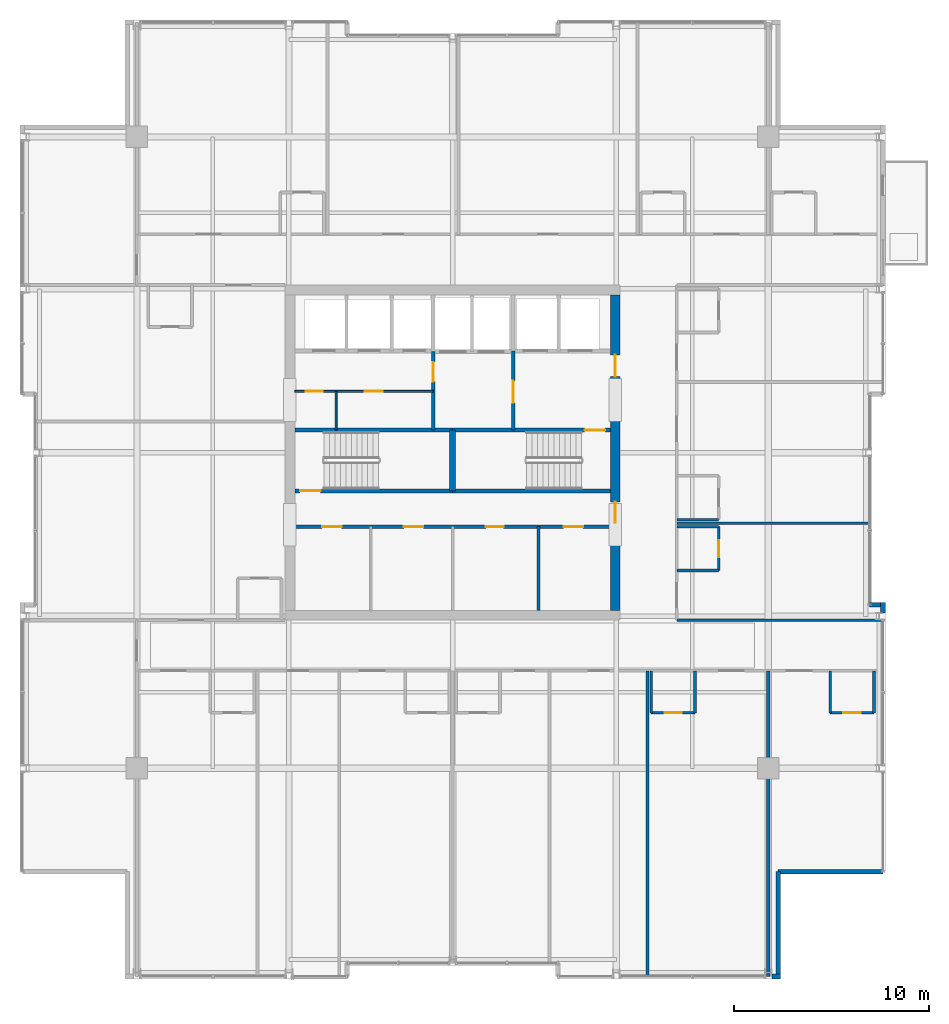
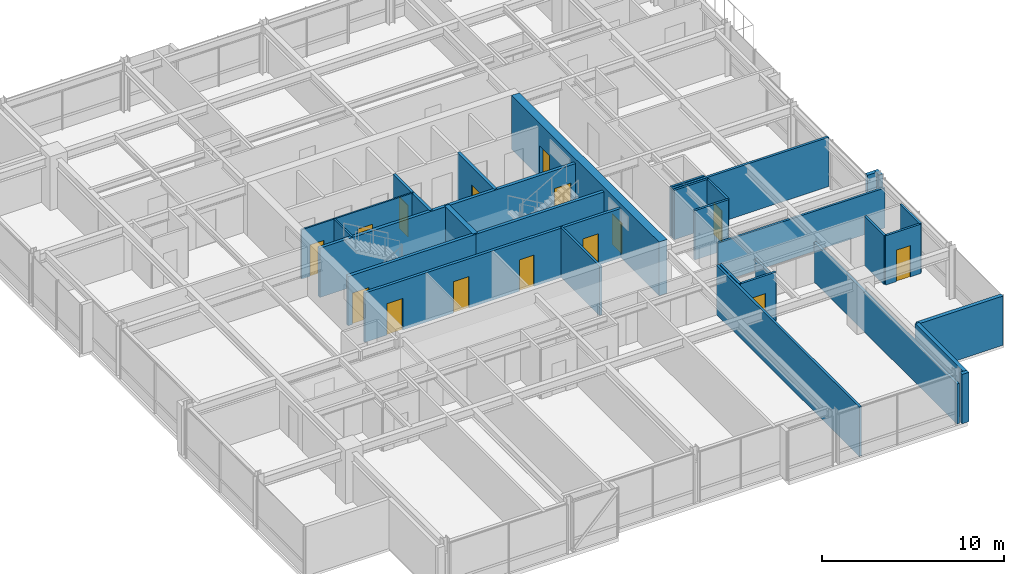
# One storey, part 29 of 34: 31 walls, 15 doors, 15 openings.
"""IFC4 building model written with IfcOpenShell, lengths in metres."""

from ifc_helpers import new_model, si_unit, direction, frame, frame_2d, origin, place, context, subcontext, project, spatial, rectangle, extrude, material, layer, layer_set, type_object, element, fill, save


model = new_model("IFC4")

# Units and contexts
model_context = context("Model", 3, precision=1e-05, world=origin(), true_north=direction((0.0, 1.0)))
body_context = subcontext(model_context, "Body", "Model", "MODEL_VIEW")
ifc_project = project(units=[si_unit("LENGTHUNIT", "METRE"), si_unit("AREAUNIT", "SQUARE_METRE"), si_unit("VOLUMEUNIT", "CUBIC_METRE"), si_unit("PLANEANGLEUNIT", "RADIAN"), si_unit("MASSUNIT", "GRAM", prefix="KILO")], contexts=[model_context])

# Site, building, storey
site_placement = place(None, origin())
site = spatial("IfcSite", under=ifc_project, at=site_placement, CompositionType="ELEMENT")
building_placement = place(site_placement, origin())
building = spatial("IfcBuilding", under=site, at=building_placement, Name="Drelvath Grand Hotel", CompositionType="ELEMENT")
storey_placement = place(building_placement, frame((0.0, 0.0, 251.89990234375)))
storey = spatial("IfcBuildingStorey", under=building, at=storey_placement, Name="L66", CompositionType="ELEMENT", Elevation=251.89990234375)

# Wall, openings, doors
ifc_material_1 = material(Name="Gypsum Partition Board")
ifc_layer_1 = layer(ifc_material_1, 0.10009765625)
ifc_layer_set_1 = layer_set([ifc_layer_1], Name="Gypsum Partition Board")
wall_type_1 = type_object("IfcWallType", Name="Core Closet Partition 100", PredefinedType="PARTITIONING", material=ifc_layer_set_1)
wall_1_placement = place(storey_placement, frame((-8.10009765625, 30.139892578125, 0.0), z_axis=(0.0, 0.0, 1.0), x_axis=(1.0, 0.0, 0.0)))
wall_1 = element("IfcWall", 1, at=wall_1_placement, inside=storey, type_object=wall_type_1, Name="L66 High-Rise Lobby Closet Wall", PredefinedType="PARTITIONING", context=body_context, shape_type="SweptSolid", body=[
    extrude(rectangle(XDim=7.10009765625, YDim=0.10009765625, at=frame_2d((3.550048828125, 0.0))), origin(), (0.0, 0.0, 1.0), 3.300048828125),
])
opening_1_placement = place(wall_1_placement, frame((0.550048828125, 0.0, 0.0)))
opening_1 = element("IfcOpeningElement", 2, at=opening_1_placement, cuts=wall_1, Name="Opening D-T4G5-013", PredefinedType="OPENING", context=body_context, shape_type="SweptSolid", body=[
    extrude(rectangle(XDim=0.8798828125, YDim=2.10009765625, at=frame_2d((0.43994140625, 1.050048828125))), frame((0.0, 0.06005859375, 0.0), z_axis=(0.0, -1.0, 0.0), x_axis=(1.0, 0.0, 0.0)), (0.0, 0.0, 1.0), 0.1201171875),
])
opening_2_placement = place(wall_1_placement, frame((3.60009765625, 0.0, 0.0)))
opening_2 = element("IfcOpeningElement", 3, at=opening_2_placement, cuts=wall_1, Name="Opening D-T4G5-014", PredefinedType="OPENING", context=body_context, shape_type="SweptSolid", body=[
    extrude(rectangle(XDim=0.919921875, YDim=2.10009765625, at=frame_2d((0.4599609375, 1.050048828125))), frame((0.0, 0.06005859375, 0.0), z_axis=(0.0, -1.0, 0.0), x_axis=(1.0, 0.0, 0.0)), (0.0, 0.0, 1.0), 0.1201171875),
])
ifc_material_2 = material(Name="Hardwood Walnut Timber", Category="wood")
door_type_1 = type_object("IfcDoorType", Name="En-Suite Bathroom Door 880x2100", OperationType="NOTDEFINED", PredefinedType="DOOR", material=ifc_material_2)
door_1_placement = place(opening_1_placement, origin())
door_1 = element("IfcDoor", 4, at=door_1_placement, inside=storey, type_object=door_type_1, Name="L66 Low-Voltage Closet Door", OperationType="SINGLE_SWING_RIGHT", OverallHeight=2.10009765625, OverallWidth=0.8798828125, PredefinedType="DOOR", context=body_context, shape_type="SweptSolid", body=[
    extrude(rectangle(XDim=0.8798828125, YDim=2.10009765625, at=frame_2d((0.43994140625, 1.050048828125))), frame((0.0, 0.02490234375, 0.0), z_axis=(0.0, -1.0, 0.0), x_axis=(1.0, 0.0, 0.0)), (0.0, 0.0, 1.0), 0.050048828125),
])
fill(opening_1, door_1)
ifc_material_3 = material(Name="Painted Steel S275", Category="steel")
door_type_2 = type_object("IfcDoorType", Name="Staff Utility Door 920x2100", OperationType="NOTDEFINED", PredefinedType="DOOR", material=ifc_material_3)
door_2_placement = place(opening_2_placement, origin())
door_2 = element("IfcDoor", 5, at=door_2_placement, inside=storey, type_object=door_type_2, Name="L66 Telecom Distribution Door", OperationType="SINGLE_SWING_LEFT", OverallHeight=2.10009765625, OverallWidth=0.919921875, PredefinedType="DOOR", context=body_context, shape_type="SweptSolid", body=[
    extrude(rectangle(XDim=0.919921875, YDim=2.10009765625, at=frame_2d((0.4599609375, 1.050048828125))), frame((0.0, 0.02490234375, 0.0), z_axis=(0.0, -1.0, 0.0), x_axis=(1.0, 0.0, 0.0)), (0.0, 0.0, 1.0), 0.050048828125),
])
fill(opening_2, door_2)

# Wall
wall_2_placement = place(storey_placement, frame((-5.97998046875, 28.159912109375, 0.0), z_axis=(0.0, 0.0, 1.0), x_axis=(0.0, 1.0, 0.0)))
element("IfcWall", 6, at=wall_2_placement, inside=storey, type_object=wall_type_1, Name="L66 Core Closet Split 2", PredefinedType="PARTITIONING", context=body_context, shape_type="SweptSolid", body=[
    extrude(rectangle(XDim=1.97998046875, YDim=0.10009765625, at=frame_2d((0.989990234375, 0.0))), origin(), (0.0, 0.0, 1.0), 3.300048828125),
])

# Wall, opening, door
ifc_material_4 = material(Name="Concrete C40/50", Category="concrete")
ifc_layer_2 = layer(ifc_material_4, 0.199951171875)
ifc_layer_set_2 = layer_set([ifc_layer_2], Name="Concrete C40/50")
wall_type_2 = type_object("IfcWallType", Name="Core Shaft Fire Wall 200", PredefinedType="SOLIDWALL", material=ifc_layer_set_2)
wall_3_placement = place(storey_placement, frame((-8.10009765625, 25.0400390625, 0.0), z_axis=(0.0, 0.0, 1.0), x_axis=(1.0, 0.0, 0.0)))
wall_3 = element("IfcWall", 7, at=wall_3_placement, inside=storey, type_object=wall_type_2, Name="L66 Stair ST-1 South Wall", PredefinedType="SOLIDWALL", context=body_context, shape_type="SweptSolid", body=[
    extrude(rectangle(XDim=8.10009765625, YDim=0.199951171875, at=frame_2d((4.050048828125, 0.0))), origin(), (0.0, 0.0, 1.0), 3.300048828125),
])
opening_3_placement = place(wall_3_placement, frame((0.280029296875, 0.0, 0.0)))
opening_3 = element("IfcOpeningElement", 8, at=opening_3_placement, cuts=wall_3, Name="Opening D-T4G5-001", PredefinedType="OPENING", context=body_context, shape_type="SweptSolid", body=[
    extrude(rectangle(XDim=1.050048828125, YDim=2.10009765625, at=frame_2d((0.52490234375, 1.050048828125))), frame((0.0, 0.10986328125, 0.0), z_axis=(0.0, -1.0, 0.0), x_axis=(1.0, 0.0, 0.0)), (0.0, 0.0, 1.0), 0.219970703125),
])
door_type_3 = type_object("IfcDoorType", Name="Tower Stairwell Fire Door 1050x2100", OperationType="NOTDEFINED", PredefinedType="DOOR", material=ifc_material_3)
door_3_placement = place(opening_3_placement, origin())
door_3 = element("IfcDoor", 9, at=door_3_placement, inside=storey, type_object=door_type_3, Name="L66 Exit Stair ST-1 Door", OperationType="SINGLE_SWING_LEFT", OverallHeight=2.10009765625, OverallWidth=1.050048828125, PredefinedType="DOOR", context=body_context, shape_type="SweptSolid", body=[
    extrude(rectangle(XDim=1.050048828125, YDim=2.10009765625, at=frame_2d((0.52490234375, 1.050048828125))), frame((0.0, 0.02490234375, 0.0), z_axis=(0.0, -1.0, 0.0), x_axis=(1.0, 0.0, 0.0)), (0.0, 0.0, 1.0), 0.050048828125),
])
fill(opening_3, door_3)

# Walls
for number, where, z_axis, x_axis, name in (
    (10, (-8.10009765625, 28.159912109375, 0.0), (0.0, 0.0, 1.0), (1.0, 0.0, 0.0), "L66 Stair ST-1 North Wall"),
    (11, (0.0, 25.0400390625, 0.0), (0.0, 0.0, 1.0), (1.0, 0.0, 0.0), "L66 Stair ST-2 South Wall"),
):
    element("IfcWall", number, at=place(storey_placement, frame(where, z_axis=z_axis, x_axis=x_axis)), inside=storey, type_object=wall_type_2, Name=name, PredefinedType="SOLIDWALL", context=body_context, shape_type="SweptSolid", body=[
        extrude(rectangle(XDim=8.10009765625, YDim=0.199951171875, at=frame_2d((4.050048828125, 0.0))), origin(), (0.0, 0.0, 1.0), 3.300048828125),
    ])

# Wall, opening, door
wall_4_placement = place(storey_placement, frame((8.10009765625, 28.159912109375, 0.0), z_axis=(0.0, 0.0, 1.0), x_axis=(-1.0, 0.0, 0.0)))
wall_4 = element("IfcWall", 12, at=wall_4_placement, inside=storey, type_object=wall_type_2, Name="L66 Stair ST-2 North Wall", PredefinedType="SOLIDWALL", context=body_context, shape_type="SweptSolid", body=[
    extrude(rectangle(XDim=8.10009765625, YDim=0.199951171875, at=frame_2d((4.050048828125, 0.0))), origin(), (0.0, 0.0, 1.0), 3.300048828125),
])
opening_4_placement = place(wall_4_placement, frame((0.280029296875, 0.0, 0.0)))
opening_4 = element("IfcOpeningElement", 13, at=opening_4_placement, cuts=wall_4, Name="Opening D-T4G5-002", PredefinedType="OPENING", context=body_context, shape_type="SweptSolid", body=[
    extrude(rectangle(XDim=1.050048828125, YDim=2.10009765625, at=frame_2d((0.52490234375, 1.050048828125))), frame((0.0, 0.10986328125, 0.0), z_axis=(0.0, -1.0, 0.0), x_axis=(1.0, 0.0, 0.0)), (0.0, 0.0, 1.0), 0.219970703125),
])
door_4_placement = place(opening_4_placement, origin())
door_4 = element("IfcDoor", 14, at=door_4_placement, inside=storey, type_object=door_type_3, Name="L66 Exit Stair ST-2 Door", OperationType="SINGLE_SWING_LEFT", OverallHeight=2.10009765625, OverallWidth=1.050048828125, PredefinedType="DOOR", context=body_context, shape_type="SweptSolid", body=[
    extrude(rectangle(XDim=1.050048828125, YDim=2.10009765625, at=frame_2d((0.52490234375, 1.050048828125))), frame((0.0, 0.02490234375, 0.0), z_axis=(0.0, -1.0, 0.0), x_axis=(1.0, 0.0, 0.0)), (0.0, 0.0, 1.0), 0.050048828125),
])
fill(opening_4, door_4)

# Walls
ifc_layer_3 = layer(ifc_material_4, 0.300048828125)
ifc_layer_set_3 = layer_set([ifc_layer_3], Name="Concrete C40/50")
wall_type_3 = type_object("IfcWallType", Name="Core Shaft Fire Wall 300", PredefinedType="SOLIDWALL", material=ifc_layer_set_3)
wall_5_placement = place(storey_placement, frame((0.0, 25.0400390625, 0.0), z_axis=(0.0, 0.0, 1.0), x_axis=(0.0, 1.0, 0.0)))
element("IfcWall", 15, at=wall_5_placement, inside=storey, type_object=wall_type_3, Name="L66 Core Stair Divider Wall", PredefinedType="SOLIDWALL", context=body_context, shape_type="SweptSolid", body=[
    extrude(rectangle(XDim=3.119873046875, YDim=0.300048828125, at=frame_2d((1.56005859375, 0.0))), origin(), (0.0, 0.0, 1.0), 3.300048828125),
])
ifc_material_5 = material(Name="Gypsum Fireboard Partition")
ifc_layer_4 = layer(ifc_material_5, 0.135009765625)
ifc_layer_set_4 = layer_set([ifc_layer_4], Name="Gypsum Fireboard Partition")
wall_type_4 = type_object("IfcWallType", Name="Corridor Fire Barrier Wall 135", PredefinedType="PARTITIONING", material=ifc_layer_set_4)
wall_6_placement = place(storey_placement, frame((11.5, 18.39990234375, 0.0), z_axis=(0.0, 0.0, 1.0), x_axis=(1.0, 0.0, 0.0)))
element("IfcWall", 16, at=wall_6_placement, inside=storey, type_object=wall_type_4, Name="L66 South Gallery Inner East Wall", PredefinedType="PARTITIONING", context=body_context, shape_type="SweptSolid", body=[
    extrude(rectangle(XDim=10.580078125, YDim=0.135009765625, at=frame_2d((5.2900390625, 0.0))), origin(), (0.0, 0.0, 1.0), 2.677490234375),
])
ifc_material_6 = material(Name="Moisture-Resistant Gypsum Board")
ifc_layer_5 = layer(ifc_material_6, 0.139892578125)
ifc_layer_set_5 = layer_set([ifc_layer_5], Name="Moisture-Resistant Gypsum Board")
wall_type_5 = type_object("IfcWallType", Name="En-Suite Plumbing Wall 140", PredefinedType="PLUMBINGWALL", material=ifc_layer_set_5)
wall_7_placement = place(storey_placement, frame((4.39990234375, 18.89990234375, 0.0), z_axis=(0.0, 0.0, 1.0), x_axis=(0.0, 1.0, 0.0)))
element("IfcWall", 17, at=wall_7_placement, inside=storey, type_object=wall_type_5, Name="L66 Upper Core Split 2C", PredefinedType="PLUMBINGWALL", context=body_context, shape_type="SweptSolid", body=[
    extrude(rectangle(XDim=4.300048828125, YDim=0.139892578125, at=frame_2d((2.14990234375, 0.0))), origin(), (0.0, 0.0, 1.0), 3.300048828125),
])
for number, where, z_axis, x_axis, name in (
    (18, (19.3701171875, 15.800048828125, 0.0), (0.0, 0.0, 1.0), (0.0, -1.0, 0.0), "L66 En-Suite Left Wall"),
    (19, (21.6201171875, 15.800048828125, 0.0), (0.0, 0.0, 1.0), (0.0, -1.0, 0.0), "L66 En-Suite Right Wall"),
):
    element("IfcWall", number, at=place(storey_placement, frame(where, z_axis=z_axis, x_axis=x_axis)), inside=storey, type_object=wall_type_5, Name=name, PredefinedType="PLUMBINGWALL", context=body_context, shape_type="SweptSolid", body=[
        extrude(rectangle(XDim=2.150146484375, YDim=0.139892578125, at=frame_2d((1.0751953125, 0.0))), origin(), (0.0, 0.0, 1.0), 3.300048828125),
    ])

# Wall, opening, door
wall_8_placement = place(storey_placement, frame((19.3701171875, 13.64990234375, 0.0), z_axis=(0.0, 0.0, 1.0), x_axis=(1.0, 0.0, 0.0)))
wall_8 = element("IfcWall", 20, at=wall_8_placement, inside=storey, type_object=wall_type_5, Name="L66 En-Suite Front Wall", PredefinedType="PLUMBINGWALL", context=body_context, shape_type="SweptSolid", body=[
    extrude(rectangle(XDim=2.25, YDim=0.139892578125, at=frame_2d((1.125, 0.0))), origin(), (0.0, 0.0, 1.0), 3.300048828125),
])
opening_5_placement = place(wall_8_placement, frame((0.68505859375, 0.0, 0.0)))
opening_5 = element("IfcOpeningElement", 21, at=opening_5_placement, cuts=wall_8, Name="Opening D-T4G5-022", PredefinedType="OPENING", context=body_context, shape_type="SweptSolid", body=[
    extrude(rectangle(XDim=0.8798828125, YDim=2.10009765625, at=frame_2d((0.43994140625, 1.050048828125))), frame((0.0, 0.079833984375, 0.0), z_axis=(0.0, -1.0, 0.0), x_axis=(1.0, 0.0, 0.0)), (0.0, 0.0, 1.0), 0.159912109375),
])
door_5_placement = place(opening_5_placement, origin())
door_5 = element("IfcDoor", 22, at=door_5_placement, inside=storey, type_object=door_type_1, Name="L66 En-Suite Bathroom Door", OperationType="SINGLE_SWING_LEFT", OverallHeight=2.10009765625, OverallWidth=0.8798828125, PredefinedType="DOOR", context=body_context, shape_type="SweptSolid", body=[
    extrude(rectangle(XDim=0.8798828125, YDim=2.10009765625, at=frame_2d((0.43994140625, 1.050048828125))), frame((0.0, 0.02490234375, 0.0), z_axis=(0.0, -1.0, 0.0), x_axis=(1.0, 0.0, 0.0)), (0.0, 0.0, 1.0), 0.050048828125),
])
fill(opening_5, door_5)

# Walls
wall_9_placement = place(storey_placement, frame((10.185791015625, 15.800048828125, 0.0), z_axis=(0.0, 0.0, 1.0), x_axis=(0.0, -1.0, 0.0)))
element("IfcWall", 23, at=wall_9_placement, inside=storey, type_object=wall_type_5, Name="L66 En-Suite Left Wall", PredefinedType="PLUMBINGWALL", context=body_context, shape_type="SweptSolid", body=[
    extrude(rectangle(XDim=2.150146484375, YDim=0.139892578125, at=frame_2d((1.0751953125, 0.0))), origin(), (0.0, 0.0, 1.0), 3.300048828125),
])
wall_10_placement = place(storey_placement, frame((12.435791015625, 15.800048828125, 0.0), z_axis=(0.0, 0.0, 1.0), x_axis=(0.0, -1.0, 0.0)))
element("IfcWall", 24, at=wall_10_placement, inside=storey, type_object=wall_type_5, Name="L66 En-Suite Right Wall", PredefinedType="PLUMBINGWALL", context=body_context, shape_type="SweptSolid", body=[
    extrude(rectangle(XDim=2.150146484375, YDim=0.139892578125, at=frame_2d((1.0751953125, 0.0))), origin(), (0.0, 0.0, 1.0), 2.87841796875),
])

# Wall, opening, door
wall_11_placement = place(storey_placement, frame((10.185791015625, 13.64990234375, 0.0), z_axis=(0.0, 0.0, 1.0), x_axis=(1.0, 0.0, 0.0)))
wall_11 = element("IfcWall", 25, at=wall_11_placement, inside=storey, type_object=wall_type_5, Name="L66 En-Suite Front Wall", PredefinedType="PLUMBINGWALL", context=body_context, shape_type="SweptSolid", body=[
    extrude(rectangle(XDim=2.25, YDim=0.139892578125, at=frame_2d((1.125, 0.0))), origin(), (0.0, 0.0, 1.0), 3.300048828125),
])
opening_6_placement = place(wall_11_placement, frame((0.68505859375, 0.0, 0.0)))
opening_6 = element("IfcOpeningElement", 26, at=opening_6_placement, cuts=wall_11, Name="Opening D-T4G5-034", PredefinedType="OPENING", context=body_context, shape_type="SweptSolid", body=[
    extrude(rectangle(XDim=0.8798828125, YDim=2.10009765625, at=frame_2d((0.43994140625, 1.050048828125))), frame((0.0, 0.079833984375, 0.0), z_axis=(0.0, -1.0, 0.0), x_axis=(1.0, 0.0, 0.0)), (0.0, 0.0, 1.0), 0.159912109375),
])
door_6_placement = place(opening_6_placement, origin())
door_6 = element("IfcDoor", 27, at=door_6_placement, inside=storey, type_object=door_type_1, Name="L66 En-Suite Bathroom Door", OperationType="SINGLE_SWING_LEFT", OverallHeight=2.10009765625, OverallWidth=0.8798828125, PredefinedType="DOOR", context=body_context, shape_type="SweptSolid", body=[
    extrude(rectangle(XDim=0.8798828125, YDim=2.10009765625, at=frame_2d((0.43994140625, 1.050048828125))), frame((0.0, 0.02490234375, 0.0), z_axis=(0.0, -1.0, 0.0), x_axis=(1.0, 0.0, 0.0)), (0.0, 0.0, 1.0), 0.050048828125),
])
fill(opening_6, door_6)

# Walls
for number, where, z_axis, x_axis, name in (
    (28, (11.5, 20.948974609375, 0.0), (0.0, 0.0, 1.0), (1.0, 0.0, 0.0), "L66 En-Suite Left Wall"),
    (29, (11.5, 23.198974609375, 0.0), (0.0, 0.0, 1.0), (1.0, 0.0, 0.0), "L66 En-Suite Right Wall"),
):
    element("IfcWall", number, at=place(storey_placement, frame(where, z_axis=z_axis, x_axis=x_axis)), inside=storey, type_object=wall_type_5, Name=name, PredefinedType="PLUMBINGWALL", context=body_context, shape_type="SweptSolid", body=[
        extrude(rectangle(XDim=2.14990234375, YDim=0.139892578125, at=frame_2d((1.074951171875, 0.0))), origin(), (0.0, 0.0, 1.0), 3.300048828125),
    ])

# Wall, opening, door
wall_12_placement = place(storey_placement, frame((13.64990234375, 20.948974609375, 0.0), z_axis=(0.0, 0.0, 1.0), x_axis=(0.0, 1.0, 0.0)))
wall_12 = element("IfcWall", 30, at=wall_12_placement, inside=storey, type_object=wall_type_5, Name="L66 En-Suite Front Wall", PredefinedType="PLUMBINGWALL", context=body_context, shape_type="SweptSolid", body=[
    extrude(rectangle(XDim=2.25, YDim=0.139892578125, at=frame_2d((1.125, 0.0))), origin(), (0.0, 0.0, 1.0), 3.300048828125),
])
opening_7_placement = place(wall_12_placement, frame((0.68505859375, 0.0, 0.0)))
opening_7 = element("IfcOpeningElement", 31, at=opening_7_placement, cuts=wall_12, Name="Opening D-T4G5-042", PredefinedType="OPENING", context=body_context, shape_type="SweptSolid", body=[
    extrude(rectangle(XDim=0.8798828125, YDim=2.10009765625, at=frame_2d((0.43994140625, 1.050048828125))), frame((0.0, 0.079833984375, 0.0), z_axis=(0.0, -1.0, 0.0), x_axis=(1.0, 0.0, 0.0)), (0.0, 0.0, 1.0), 0.159912109375),
])
door_7_placement = place(opening_7_placement, origin())
door_7 = element("IfcDoor", 32, at=door_7_placement, inside=storey, type_object=door_type_1, Name="L66 En-Suite Bathroom Door", OperationType="SINGLE_SWING_LEFT", OverallHeight=2.10009765625, OverallWidth=0.8798828125, PredefinedType="DOOR", context=body_context, shape_type="SweptSolid", body=[
    extrude(rectangle(XDim=0.8798828125, YDim=2.10009765625, at=frame_2d((0.43994140625, 1.050048828125))), frame((0.0, 0.02490234375, 0.0), z_axis=(0.0, -1.0, 0.0), x_axis=(1.0, 0.0, 0.0)), (0.0, 0.0, 1.0), 0.050048828125),
])
fill(opening_7, door_7)

# Wall
wall_13_placement = place(storey_placement, frame((11.5, 23.558837890625, 0.0), z_axis=(0.0, 0.0, 1.0), x_axis=(1.0, 0.0, 0.0)))
element("IfcWall", 33, at=wall_13_placement, inside=storey, type_object=wall_type_5, Name="L66 En-Suite Left Wall", PredefinedType="PLUMBINGWALL", context=body_context, shape_type="SweptSolid", body=[
    extrude(rectangle(XDim=2.14990234375, YDim=0.139892578125, at=frame_2d((1.074951171875, 0.0))), origin(), (0.0, 0.0, 1.0), 3.300048828125),
])

# Wall, opening, door
ifc_layer_6 = layer(ifc_material_5, 0.179931640625)
ifc_layer_set_6 = layer_set([ifc_layer_6], Name="Gypsum Fireboard Partition")
wall_type_6 = type_object("IfcWallType", Name="FSAE Smoke Lobby Fire Wall 180", PredefinedType="SOLIDWALL", material=ifc_layer_set_6)
wall_14_placement = place(storey_placement, frame((3.10009765625, 28.159912109375, 0.0), z_axis=(0.0, 0.0, 1.0), x_axis=(0.0, 1.0, 0.0)))
wall_14 = element("IfcWall", 34, at=wall_14_placement, inside=storey, type_object=wall_type_6, Name="L66 FSAE Smoke Lobby West Wall", PredefinedType="SOLIDWALL", context=body_context, shape_type="SweptSolid", body=[
    extrude(rectangle(XDim=4.06005859375, YDim=0.179931640625, at=frame_2d((2.030029296875, 0.0))), origin(), (0.0, 0.0, 1.0), 3.300048828125),
])
opening_8_placement = place(wall_14_placement, frame((1.39990234375, 0.0, 0.0)))
opening_8 = element("IfcOpeningElement", 35, at=opening_8_placement, cuts=wall_14, Name="Opening D-T4G5-005", PredefinedType="OPENING", context=body_context, shape_type="SweptSolid", body=[
    extrude(rectangle(XDim=1.1201171875, YDim=2.10009765625, at=frame_2d((0.56005859375, 1.050048828125))), frame((0.0, 0.099853515625, 0.0), z_axis=(0.0, -1.0, 0.0), x_axis=(1.0, 0.0, 0.0)), (0.0, 0.0, 1.0), 0.199951171875),
])
door_type_4 = type_object("IfcDoorType", Name="FSAE Smoke Lobby Fire Door 1120x2100", OperationType="NOTDEFINED", PredefinedType="DOOR", material=ifc_material_3)
door_8_placement = place(opening_8_placement, origin())
door_8 = element("IfcDoor", 36, at=door_8_placement, inside=storey, type_object=door_type_4, Name="L66 FSAE Lobby Service Vestibule Door", OperationType="SINGLE_SWING_RIGHT", OverallHeight=2.10009765625, OverallWidth=1.1201171875, PredefinedType="DOOR", context=body_context, shape_type="SweptSolid", body=[
    extrude(rectangle(XDim=1.1201171875, YDim=2.10009765625, at=frame_2d((0.56005859375, 1.050048828125))), frame((0.0, 0.02490234375, 0.0), z_axis=(0.0, -1.0, 0.0), x_axis=(1.0, 0.0, 0.0)), (0.0, 0.0, 1.0), 0.050048828125),
])
fill(opening_8, door_8)

wall_15_placement = place(storey_placement, frame((-1.0, 28.159912109375, 0.0), z_axis=(0.0, 0.0, 1.0), x_axis=(0.0, 1.0, 0.0)))
wall_15 = element("IfcWall", 37, at=wall_15_placement, inside=storey, type_object=wall_type_6, Name="L66 Service Vestibule West Wall", PredefinedType="SOLIDWALL", context=body_context, shape_type="SweptSolid", body=[
    extrude(rectangle(XDim=4.02001953125, YDim=0.179931640625, at=frame_2d((2.010009765625, 0.0))), origin(), (0.0, 0.0, 1.0), 3.300048828125),
])
opening_9_placement = place(wall_15_placement, frame((2.489990234375, 0.0, 0.0)))
opening_9 = element("IfcOpeningElement", 38, at=opening_9_placement, cuts=wall_15, Name="Opening D-T4G5-009", PredefinedType="OPENING", context=body_context, shape_type="SweptSolid", body=[
    extrude(rectangle(XDim=1.0, YDim=2.10009765625, at=frame_2d((0.5, 1.050048828125))), frame((0.0, 0.099853515625, 0.0), z_axis=(0.0, -1.0, 0.0), x_axis=(1.0, 0.0, 0.0)), (0.0, 0.0, 1.0), 0.199951171875),
])
door_type_5 = type_object("IfcDoorType", Name="Core Service Fire Door 1000x2100", OperationType="NOTDEFINED", PredefinedType="DOOR", material=ifc_material_3)
door_9_placement = place(opening_9_placement, origin())
door_9 = element("IfcDoor", 39, at=door_9_placement, inside=storey, type_object=door_type_5, Name="L66 Service Vestibule West Door", OperationType="SINGLE_SWING_LEFT", OverallHeight=2.10009765625, OverallWidth=1.0, PredefinedType="DOOR", context=body_context, shape_type="SweptSolid", body=[
    extrude(rectangle(XDim=1.0, YDim=2.10009765625, at=frame_2d((0.5, 1.050048828125))), frame((0.0, 0.02490234375, 0.0), z_axis=(0.0, -1.0, 0.0), x_axis=(1.0, 0.0, 0.0)), (0.0, 0.0, 1.0), 0.050048828125),
])
fill(opening_9, door_9)

# Wall, openings, doors
wall_16_placement = place(storey_placement, frame((-8.10009765625, 23.199951171875, 0.0), z_axis=(0.0, 0.0, 1.0), x_axis=(1.0, 0.0, 0.0)))
wall_16 = element("IfcWall", 40, at=wall_16_placement, inside=storey, type_object=wall_type_6, Name="L66 Upper Reclaimed Core Wall", PredefinedType="SOLIDWALL", context=body_context, shape_type="SweptSolid", body=[
    extrude(rectangle(XDim=16.2001953125, YDim=0.179931640625, at=frame_2d((8.10009765625, 0.0))), origin(), (0.0, 0.0, 1.0), 3.300048828125),
])
opening_10_placement = place(wall_16_placement, frame((1.39990234375, 0.0, 0.0)))
opening_10 = element("IfcOpeningElement", 41, at=opening_10_placement, cuts=wall_16, Name="Opening D-T4G5-016", PredefinedType="OPENING", context=body_context, shape_type="SweptSolid", body=[
    extrude(rectangle(XDim=1.0, YDim=2.10009765625, at=frame_2d((0.5, 1.050048828125))), frame((0.0, 0.099853515625, 0.0), z_axis=(0.0, -1.0, 0.0), x_axis=(1.0, 0.0, 0.0)), (0.0, 0.0, 1.0), 0.199951171875),
])
opening_11_placement = place(wall_16_placement, frame((5.60009765625, 0.0, 0.0)))
opening_11 = element("IfcOpeningElement", 42, at=opening_11_placement, cuts=wall_16, Name="Opening D-T4G5-017", PredefinedType="OPENING", context=body_context, shape_type="SweptSolid", body=[
    extrude(rectangle(XDim=1.0, YDim=2.10009765625, at=frame_2d((0.5, 1.050048828125))), frame((0.0, 0.099853515625, 0.0), z_axis=(0.0, -1.0, 0.0), x_axis=(1.0, 0.0, 0.0)), (0.0, 0.0, 1.0), 0.199951171875),
])
opening_12_placement = place(wall_16_placement, frame((9.800048828125, 0.0, 0.0)))
opening_12 = element("IfcOpeningElement", 43, at=opening_12_placement, cuts=wall_16, Name="Opening D-T4G5-018", PredefinedType="OPENING", context=body_context, shape_type="SweptSolid", body=[
    extrude(rectangle(XDim=0.919921875, YDim=2.10009765625, at=frame_2d((0.4599609375, 1.050048828125))), frame((0.0, 0.099853515625, 0.0), z_axis=(0.0, -1.0, 0.0), x_axis=(1.0, 0.0, 0.0)), (0.0, 0.0, 1.0), 0.199951171875),
])
opening_13_placement = place(wall_16_placement, frame((13.800048828125, 0.0, 0.0)))
opening_13 = element("IfcOpeningElement", 44, at=opening_13_placement, cuts=wall_16, Name="Opening D-T4G5-019", PredefinedType="OPENING", context=body_context, shape_type="SweptSolid", body=[
    extrude(rectangle(XDim=1.0, YDim=2.10009765625, at=frame_2d((0.5, 1.050048828125))), frame((0.0, 0.099853515625, 0.0), z_axis=(0.0, -1.0, 0.0), x_axis=(1.0, 0.0, 0.0)), (0.0, 0.0, 1.0), 0.199951171875),
])
door_10_placement = place(opening_10_placement, origin())
door_10 = element("IfcDoor", 45, at=door_10_placement, inside=storey, type_object=door_type_5, Name="L66 Housekeeping Door", OperationType="SINGLE_SWING_LEFT", OverallHeight=2.10009765625, OverallWidth=1.0, PredefinedType="DOOR", context=body_context, shape_type="SweptSolid", body=[
    extrude(rectangle(XDim=1.0, YDim=2.10009765625, at=frame_2d((0.5, 1.050048828125))), frame((0.0, 0.02490234375, 0.0), z_axis=(0.0, -1.0, 0.0), x_axis=(1.0, 0.0, 0.0)), (0.0, 0.0, 1.0), 0.050048828125),
])
fill(opening_10, door_10)
door_11_placement = place(opening_11_placement, origin())
door_11 = element("IfcDoor", 46, at=door_11_placement, inside=storey, type_object=door_type_5, Name="L66 Valet Door", OperationType="SINGLE_SWING_RIGHT", OverallHeight=2.10009765625, OverallWidth=1.0, PredefinedType="DOOR", context=body_context, shape_type="SweptSolid", body=[
    extrude(rectangle(XDim=1.0, YDim=2.10009765625, at=frame_2d((0.5, 1.050048828125))), frame((0.0, 0.02490234375, 0.0), z_axis=(0.0, -1.0, 0.0), x_axis=(1.0, 0.0, 0.0)), (0.0, 0.0, 1.0), 0.050048828125),
])
fill(opening_11, door_11)
door_12_placement = place(opening_12_placement, origin())
door_12 = element("IfcDoor", 47, at=door_12_placement, inside=storey, type_object=door_type_5, Name="L66 Staff WC Door", OperationType="SINGLE_SWING_LEFT", OverallHeight=2.10009765625, OverallWidth=0.919921875, PredefinedType="DOOR", context=body_context, shape_type="SweptSolid", body=[
    extrude(rectangle(XDim=0.919921875, YDim=2.10009765625, at=frame_2d((0.4599609375, 1.050048828125))), frame((0.0, 0.02490234375, 0.0), z_axis=(0.0, -1.0, 0.0), x_axis=(1.0, 0.0, 0.0)), (0.0, 0.0, 1.0), 0.050048828125),
])
fill(opening_12, door_12)
door_13_placement = place(opening_13_placement, origin())
door_13 = element("IfcDoor", 48, at=door_13_placement, inside=storey, type_object=door_type_5, Name="L66 Telecom Door", OperationType="SINGLE_SWING_RIGHT", OverallHeight=2.10009765625, OverallWidth=1.0, PredefinedType="DOOR", context=body_context, shape_type="SweptSolid", body=[
    extrude(rectangle(XDim=1.0, YDim=2.10009765625, at=frame_2d((0.5, 1.050048828125))), frame((0.0, 0.02490234375, 0.0), z_axis=(0.0, -1.0, 0.0), x_axis=(1.0, 0.0, 0.0)), (0.0, 0.0, 1.0), 0.050048828125),
])
fill(opening_13, door_13)

# Walls
ifc_material_7 = material(Name="Gypsum Acoustic Partition")
ifc_layer_7 = layer(ifc_material_7, 0.14990234375)
ifc_layer_set_7 = layer_set([ifc_layer_7], Name="Gypsum Acoustic Partition")
wall_type_7 = type_object("IfcWallType", Name="Guestroom Demising Wall 150", PredefinedType="PARTITIONING", material=ifc_layer_set_7)
wall_17_placement = place(storey_placement, frame((10.005859375, 0.1201171875, 0.0), z_axis=(0.0, 0.0, 1.0), x_axis=(0.0, 1.0, 0.0)))
element("IfcWall", 49, at=wall_17_placement, inside=storey, type_object=wall_type_7, Name="L66 South Demising 5", PredefinedType="PARTITIONING", context=body_context, shape_type="SweptSolid", body=[
    extrude(rectangle(XDim=15.679931640625, YDim=0.14990234375, at=frame_2d((7.83984375, 0.0))), origin(), (0.0, 0.0, 1.0), 3.300048828125),
])
wall_18_placement = place(storey_placement, frame((11.5, 23.37890625, 0.0), z_axis=(0.0, 0.0, 1.0), x_axis=(1.0, 0.0, 0.0)))
element("IfcWall", 50, at=wall_18_placement, inside=storey, type_object=wall_type_7, Name="L66 East Demising 1", PredefinedType="PARTITIONING", context=body_context, shape_type="SweptSolid", body=[
    extrude(rectangle(XDim=9.89990234375, YDim=0.14990234375, at=frame_2d((4.949951171875, 0.0))), origin(), (0.0, 0.0, 1.0), 3.300048828125),
])
ifc_layer_8 = layer(ifc_material_7, 0.1650390625)
ifc_layer_set_8 = layer_set([ifc_layer_8], Name="Gypsum Acoustic Partition")
wall_type_8 = type_object("IfcWallType", Name="Suite Demising Wall 165", PredefinedType="PARTITIONING", material=ifc_layer_set_8)
wall_19_placement = place(storey_placement, frame((16.199951171875, 0.1201171875, 0.0), z_axis=(0.0, 0.0, 1.0), x_axis=(0.0, 1.0, 0.0)))
element("IfcWall", 51, at=wall_19_placement, inside=storey, type_object=wall_type_8, Name="L66 SE Suite Wall", PredefinedType="PARTITIONING", context=body_context, shape_type="SweptSolid", body=[
    extrude(rectangle(XDim=15.679931640625, YDim=0.1650390625, at=frame_2d((7.83984375, 0.0))), origin(), (0.0, 0.0, 1.0), 2.673828125),
])
ifc_material_8 = material(Name="Pale-Metal Insulated Aluminium Spandrel Assembly", Category="aluminium")
ifc_layer_9 = layer(ifc_material_8, 0.239990234375)
ifc_layer_set_9 = layer_set([ifc_layer_9], Name="Pale-Metal Insulated Aluminium Spandrel Assembly")
wall_type_9 = type_object("IfcWallType", Name="Tower Insulated Metal Spandrel Closure Wall 240", PredefinedType="STANDARD", material=ifc_layer_set_9)
wall_20_placement = place(storey_placement, frame((22.080078125, 19.320068359375, 0.0), z_axis=(0.0, 0.0, 1.0), x_axis=(0.0, -1.0, 0.0)))
element("IfcWall", 52, at=wall_20_placement, inside=storey, type_object=wall_type_9, Name="L66 Corner Pier Spandrel Wall ES3", PredefinedType="STANDARD", context=body_context, shape_type="SweptSolid", body=[
    extrude(rectangle(XDim=0.541748046875, YDim=0.239990234375, at=frame_2d((0.27099609375, 0.0))), origin(), (0.0, 0.0, 1.0), 3.300048828125),
])
wall_21_placement = place(storey_placement, frame((16.820068359375, 0.1201171875, 0.0), z_axis=(0.0, 0.0, 1.0), x_axis=(-1.0, 0.0, 0.0)))
element("IfcWall", 53, at=wall_21_placement, inside=storey, type_object=wall_type_9, Name="L66 Corner Pier Spandrel Wall SE3", PredefinedType="STANDARD", context=body_context, shape_type="SweptSolid", body=[
    extrude(rectangle(XDim=0.44189453125, YDim=0.239990234375, at=frame_2d((0.220947265625, 0.0))), origin(), (0.0, 0.0, 1.0), 3.300048828125),
])
wall_22_placement = place(storey_placement, frame((22.080078125, 5.5, 0.0), z_axis=(0.0, 0.0, 1.0), x_axis=(-1.0, 0.0, 0.0)))
element("IfcWall", 54, at=wall_22_placement, inside=storey, type_object=wall_type_9, Name="L66 Notched Corner Return Spandrel Wall CSE1", PredefinedType="STANDARD", context=body_context, shape_type="SweptSolid", body=[
    extrude(rectangle(XDim=5.380126953125, YDim=0.239990234375, at=frame_2d((2.68994140625, 0.0))), origin(), (0.0, 0.0, 1.0), 3.300048828125),
])
wall_23_placement = place(storey_placement, frame((16.699951171875, 5.5, 0.0), z_axis=(0.0, 0.0, 1.0), x_axis=(0.0, -1.0, 0.0)))
element("IfcWall", 55, at=wall_23_placement, inside=storey, type_object=wall_type_9, Name="L66 Notched Corner Return Spandrel Wall CSE2", PredefinedType="STANDARD", context=body_context, shape_type="SweptSolid", body=[
    extrude(rectangle(XDim=5.260009765625, YDim=0.239990234375, at=frame_2d((2.6298828125, 0.0))), origin(), (0.0, 0.0, 1.0), 3.300048828125),
])
wall_24_placement = place(storey_placement, frame((21.39990234375, 19.199951171875, 0.0), z_axis=(0.0, 0.0, 1.0), x_axis=(1.0, 0.0, 0.0)))
element("IfcWall", 56, at=wall_24_placement, inside=storey, type_object=wall_type_9, Name="L66 Notched Corner Return Spandrel Wall RE2", PredefinedType="STANDARD", context=body_context, shape_type="SweptSolid", body=[
    extrude(rectangle(XDim=0.56005859375, YDim=0.239990234375, at=frame_2d((0.280029296875, 0.0))), origin(), (0.0, 0.0, 1.0), 3.300048828125),
])

# Wall, openings, doors
ifc_material_9 = material(Name="Concrete f'c 55 MPa", Category="concrete")
ifc_layer_10 = layer(ifc_material_9, 0.5)
ifc_layer_set_10 = layer_set([ifc_layer_10], Name="Concrete f'c 55 MPa")
wall_type_10 = type_object("IfcWallType", Name="Upper Core RC Shear Wall 500", PredefinedType="SHEAR", material=ifc_layer_set_10)
wall_25_placement = place(storey_placement, frame((8.35009765625, 35.10009765625, 0.0), z_axis=(0.0, 0.0, 1.0), x_axis=(0.0, -1.0, 0.0)))
wall_25 = element("IfcWall", 57, at=wall_25_placement, inside=storey, type_object=wall_type_10, Name="L66 Central Core Shear Wall E", PredefinedType="SHEAR", context=body_context, shape_type="SweptSolid", body=[
    extrude(rectangle(XDim=16.2001953125, YDim=0.5, at=frame_2d((8.10009765625, 0.0))), origin(), (0.0, 0.0, 1.0), 3.60009765625),
])
opening_14_placement = place(wall_25_placement, frame((3.080078125, 0.0, 0.0)))
opening_14 = element("IfcOpeningElement", 58, at=opening_14_placement, cuts=wall_25, Name="Opening D-T4G5-006", PredefinedType="OPENING", context=body_context, shape_type="SweptSolid", body=[
    extrude(rectangle(XDim=1.1201171875, YDim=2.10009765625, at=frame_2d((0.56005859375, 1.050048828125))), frame((0.0, 0.260009765625, 0.0), z_axis=(0.0, -1.0, 0.0), x_axis=(1.0, 0.0, 0.0)), (0.0, 0.0, 1.0), 0.52001953125),
])
opening_15_placement = place(wall_25_placement, frame((10.6201171875, 0.0, 0.0)))
opening_15 = element("IfcOpeningElement", 59, at=opening_15_placement, cuts=wall_25, Name="Opening D-T4G5-015", PredefinedType="OPENING", context=body_context, shape_type="SweptSolid", body=[
    extrude(rectangle(XDim=1.080078125, YDim=2.0400390625, at=frame_2d((0.5400390625, 1.02001953125))), frame((0.0, 0.260009765625, 0.0), z_axis=(0.0, -1.0, 0.0), x_axis=(1.0, 0.0, 0.0)), (0.0, 0.0, 1.0), 0.52001953125),
])
door_type_6 = type_object("IfcDoorType", Name="Core Corridor Fire Door 1080x2100", OperationType="NOTDEFINED", PredefinedType="DOOR", material=ifc_material_3)
door_14_placement = place(opening_15_placement, origin())
door_14 = element("IfcDoor", 60, at=door_14_placement, inside=storey, type_object=door_type_6, Name="L66 Core Passage East Door", OperationType="SINGLE_SWING_RIGHT", OverallHeight=2.0400390625, OverallWidth=1.080078125, PredefinedType="DOOR", context=body_context, shape_type="SweptSolid", body=[
    extrude(rectangle(XDim=1.080078125, YDim=2.0400390625, at=frame_2d((0.5400390625, 1.02001953125))), frame((0.0, 0.02490234375, 0.0), z_axis=(0.0, -1.0, 0.0), x_axis=(1.0, 0.0, 0.0)), (0.0, 0.0, 1.0), 0.050048828125),
])
fill(opening_15, door_14)
door_15_placement = place(opening_14_placement, origin())
door_15 = element("IfcDoor", 61, at=door_15_placement, inside=storey, type_object=door_type_4, Name="L66 FSAE Lobby East Corridor Door", OperationType="SINGLE_SWING_LEFT", OverallHeight=2.10009765625, OverallWidth=1.1201171875, PredefinedType="DOOR", context=body_context, shape_type="SweptSolid", body=[
    extrude(rectangle(XDim=1.1201171875, YDim=2.10009765625, at=frame_2d((0.56005859375, 1.050048828125))), frame((0.0, 0.02490234375, 0.0), z_axis=(0.0, -1.0, 0.0), x_axis=(1.0, 0.0, 0.0)), (0.0, 0.0, 1.0), 0.050048828125),
])
fill(opening_14, door_15)

save(model, "model.ifc")
